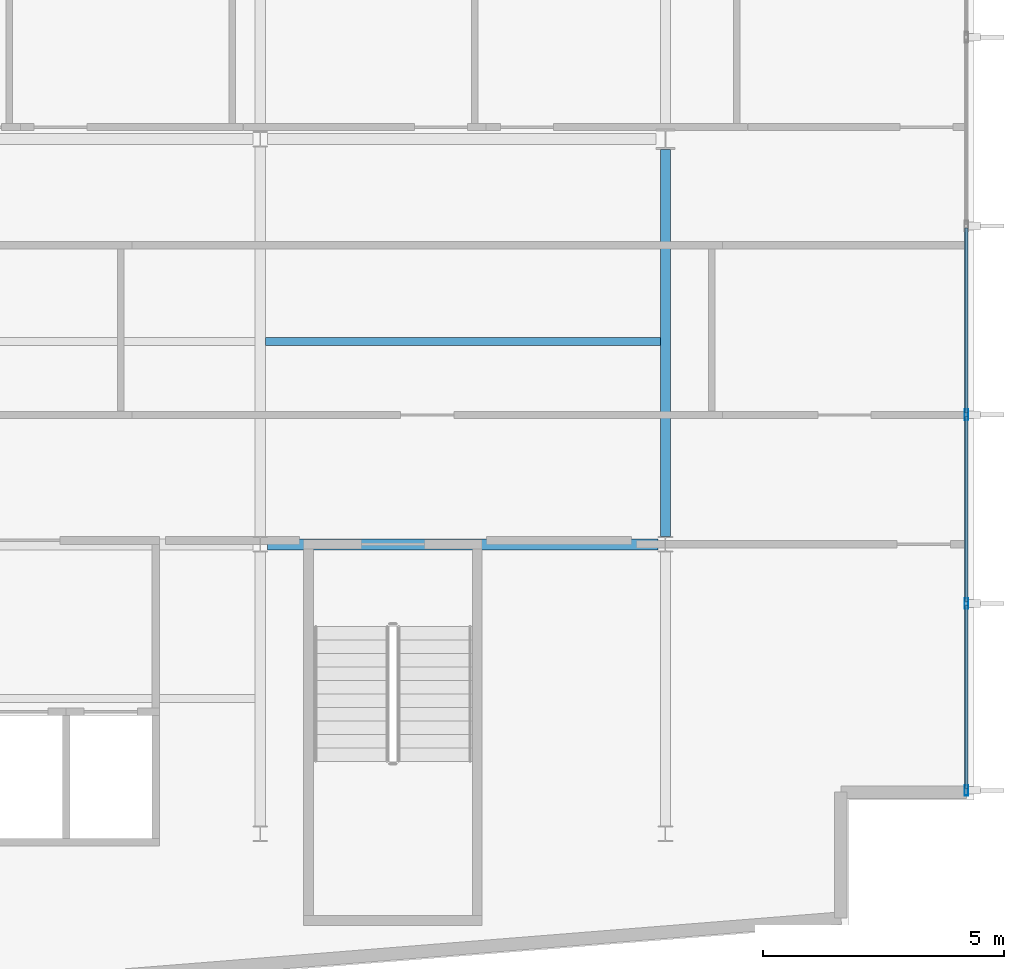
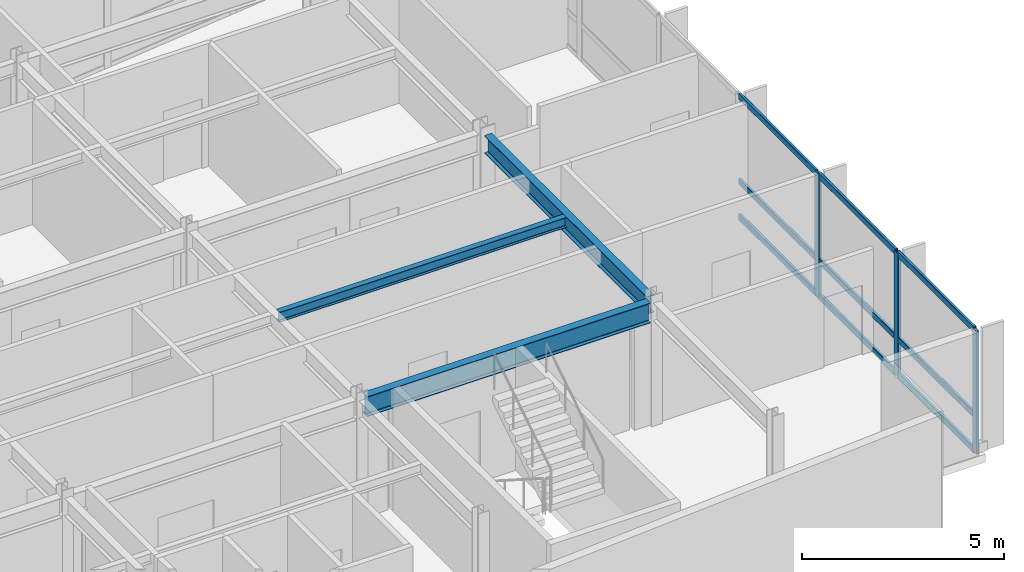
# One storey, part 5 of 18: 12 members, 3 beams, 1 element without a shape of its own.
"""IFC4 building model written with IfcOpenShell, lengths in metres."""

import ifcopenshell
import ifcopenshell.guid

model = None  # the IFC model being written
_history = None  # IfcOwnerHistory: only IFC2X3 demands one
_inside = {}  # id of a spatial element -> (the spatial element, [elements in it])
_under = {}  # id of a project, library or spatial element -> (it, [spatial elements below it])
_declared = {}  # id of a project -> (the project, [libraries it declares])
_typed = {}  # id of a type object -> (the type object, [elements of that type])
_made_of = {}  # id of a material, layer set ... -> (it, [elements and type objects made of it])


def new_model(schema):
    """Start an empty IFC model of exactly this schema.

    Asked for "IFC4X3", IfcOpenShell would pick the latest addendum, in which some entities
    have other attributes; the version numbers below select the first issue.
    IFC2X3 requires an IfcOwnerHistory on every rooted entity: one is made here for all.
    """
    global model, _history
    if schema == "IFC4X3":
        model = ifcopenshell.file(schema_version=(4, 3, 0, 0))
    else:
        model = ifcopenshell.file(schema=schema)
    _inside.clear()
    _under.clear()
    _declared.clear()
    _typed.clear()
    _made_of.clear()
    _history = None
    if model.schema == "IFC2X3":
        org = make("IfcOrganization", Name="unknown")
        user = make(
            "IfcPersonAndOrganization",
            ThePerson=make("IfcPerson", FamilyName="unknown"),
            TheOrganization=org,
        )
        app = make(
            "IfcApplication",
            ApplicationDeveloper=org,
            Version="unknown",
            ApplicationFullName="unknown",
            ApplicationIdentifier="unknown",
        )
        _history = make(
            "IfcOwnerHistory",
            OwningUser=user,
            OwningApplication=app,
            ChangeAction="ADDED",
            CreationDate=0,
        )
    return model


def make(cls, **values):
    """One entity of the class cls with the attributes given. An attribute that is None is left unset."""
    return model.create_entity(
        cls, **{name: value for name, value in values.items() if value is not None}
    )


def rooted(cls, **values):
    """An entity with a GlobalId (a new one), such as an element, a storey or a relation."""
    return make(cls, GlobalId=ifcopenshell.guid.new(), OwnerHistory=_history, **values)


def si_unit(unit_type, name, prefix=None):
    """IfcSIUnit, for example si_unit("LENGTHUNIT", "METRE", prefix="MILLI")."""
    return make("IfcSIUnit", UnitType=unit_type, Prefix=prefix, Name=name)


def assignment(units):
    """IfcUnitAssignment: the units of a project."""
    return None if units is None else make("IfcUnitAssignment", Units=units)


def point(xyz):
    """IfcCartesianPoint."""
    return None if xyz is None else make("IfcCartesianPoint", Coordinates=xyz)


def direction(xyz):
    """IfcDirection."""
    return None if xyz is None else make("IfcDirection", DirectionRatios=xyz)


def frame(location, z_axis=None, x_axis=None):
    """IfcAxis2Placement3D, a coordinate frame: its origin and axes. An axis left out is left unset."""
    return make(
        "IfcAxis2Placement3D",
        Location=point(location),
        Axis=direction(z_axis),
        RefDirection=direction(x_axis),
    )


def frame_2d(location, x_axis=None):
    """IfcAxis2Placement2D, a coordinate frame in the plane: its origin and x axis."""
    return make(
        "IfcAxis2Placement2D", Location=point(location), RefDirection=direction(x_axis)
    )


def origin():
    """The frame at (0, 0, 0) with its axes left unset."""
    return frame((0.0, 0.0, 0.0))


def origin_2d():
    """The frame at (0, 0) in the plane with its x axis left unset."""
    return frame_2d((0.0, 0.0))


def place(relative_to, where):
    """IfcLocalPlacement: puts the frame where relative to a parent placement (None: the world)."""
    return make(
        "IfcLocalPlacement", PlacementRelTo=relative_to, RelativePlacement=where
    )


def context(
    kind, dimensions, precision=None, world=None, true_north=None, identifier=None
):
    """IfcGeometricRepresentationContext, for example the 3D "Model" context."""
    return make(
        "IfcGeometricRepresentationContext",
        ContextIdentifier=identifier,
        ContextType=kind,
        CoordinateSpaceDimension=dimensions,
        Precision=precision,
        WorldCoordinateSystem=world,
        TrueNorth=true_north,
    )


def subcontext(parent, identifier, kind, view, scale=None):
    """IfcGeometricRepresentationSubContext, for example "Body" below "Model"."""
    return make(
        "IfcGeometricRepresentationSubContext",
        ContextIdentifier=identifier,
        ContextType=kind,
        ParentContext=parent,
        TargetScale=scale,
        TargetView=view,
    )


def project(units=None, contexts=None):
    """IfcProject with its units and contexts."""
    return rooted(
        "IfcProject",
        Name="project",
        RepresentationContexts=contexts,
        UnitsInContext=assignment(units),
    )


def spatial(cls, under=None, at=None, **own):
    """A site, building, storey or space (cls), placed at a placement, below another one or the project."""
    s = rooted(cls, ObjectPlacement=at, **own)
    if under is not None:
        _under.setdefault(under.id(), (under, []))[1].append(s)
    return s


def profile(cls, at=None, kind="AREA", **sizes):
    """A parametric profile (cls). Its sizes go by their IFC names, for example OverallWidth=200.0."""
    return make(cls, ProfileType=kind, Position=at, **sizes)


def hollow_rectangle(**sizes):
    """IfcRectangleHollowProfileDef."""
    return profile("IfcRectangleHollowProfileDef", **sizes)


def i_section(**sizes):
    """IfcIShapeProfileDef."""
    return profile("IfcIShapeProfileDef", **sizes)


def extrude(swept, where, along, depth):
    """IfcExtrudedAreaSolid: the profile swept, set in the frame where, extruded along a direction by depth."""
    return make(
        "IfcExtrudedAreaSolid",
        SweptArea=swept,
        Position=where,
        ExtrudedDirection=direction(along),
        Depth=depth,
    )


def shape(context_of_items, identifier, shape_type, items):
    """IfcShapeRepresentation: the items that make up one representation, for example the "Body"."""
    return make(
        "IfcShapeRepresentation",
        ContextOfItems=context_of_items,
        RepresentationIdentifier=identifier,
        RepresentationType=shape_type,
        Items=items,
    )


def material(Name=None, Category=None):
    """IfcMaterial."""
    return make("IfcMaterial", Name=Name, Category=Category)


def layer(
    of_material, thickness, ventilated=None, Name=None, Category=None, Priority=None
):
    """IfcMaterialLayer: one layer of a wall or slab, of a material (None: an air gap)."""
    return make(
        "IfcMaterialLayer",
        Material=of_material,
        LayerThickness=thickness,
        IsVentilated=ventilated,
        Name=Name,
        Category=Category,
        Priority=Priority,
    )


def layer_set(layers, Name=None):
    """IfcMaterialLayerSet."""
    return make("IfcMaterialLayerSet", MaterialLayers=layers, LayerSetName=Name)


def material_profile(
    of_material, cross_section, Name=None, Category=None, Priority=None
):
    """IfcMaterialProfile: a cross section and its material."""
    return make(
        "IfcMaterialProfile",
        Name=Name,
        Material=of_material,
        Profile=cross_section,
        Priority=Priority,
        Category=Category,
    )


def profile_set(profiles, Name=None, composite=None):
    """IfcMaterialProfileSet."""
    return make(
        "IfcMaterialProfileSet",
        Name=Name,
        MaterialProfiles=profiles,
        CompositeProfile=composite,
    )


def made_of(thing, what):
    """Note that an element or type object is made of a material, layer set ...; save() writes the relation."""
    if what is not None:
        _made_of.setdefault(what.id(), (what, []))[1].append(thing)
    return thing


def type_object(cls, material=None, **own):
    """A type object (cls), such as IfcWallType, which elements share."""
    return made_of(rooted(cls, **own), material)


def element(
    cls,
    number,
    at=None,
    inside=None,
    cuts=None,
    type_object=None,
    material=None,
    context=None,
    identifier="Body",
    shape_type=None,
    held_by="IfcProductDefinitionShape",
    body=None,
    shapes=None,
    **own,
):
    """One element of the class cls, such as IfcWall. Its Tag is "e" and its number.

    at: its placement. inside: the storey or other place that contains it. cuts: it is an
    opening in that element (IfcRelVoidsElement). A single representation is given by context,
    identifier, shape_type and body (its items); several are given by shapes. held_by: the class
    of the entity that holds the representations. save() writes the other relations.
    """
    e = rooted(cls, Tag="e%d" % number, ObjectPlacement=at, **own)
    if body is not None:
        shapes = [shape(context, identifier, shape_type, body)]
    if shapes is not None:
        e.Representation = make(held_by, Representations=shapes)
    if inside is not None:
        _inside.setdefault(inside.id(), (inside, []))[1].append(e)
    if cuts is not None:
        rooted(
            "IfcRelVoidsElement", RelatingBuildingElement=cuts, RelatedOpeningElement=e
        )
    if type_object is not None:
        _typed.setdefault(type_object.id(), (type_object, []))[1].append(e)
    return made_of(e, material)


def aggregate(whole, parts):
    """IfcRelAggregates: a whole, such as a stair, and the parts it consists of."""
    return rooted("IfcRelAggregates", RelatingObject=whole, RelatedObjects=parts)


def save(model, path):
    """Write the relations noted so far, then the file.

    IfcRelAggregates (storeys below a building ...), IfcRelContainedInSpatialStructure (elements
    in a storey), IfcRelDefinesByType, IfcRelAssociatesMaterial and IfcRelDeclares: one each for
    every whole, place, type object, material and project.
    """
    for whole, parts in _under.values():
        aggregate(whole, parts)
    for where, things in _inside.values():
        rooted(
            "IfcRelContainedInSpatialStructure",
            RelatedElements=things,
            RelatingStructure=where,
        )
    for kind, things in _typed.values():
        rooted("IfcRelDefinesByType", RelatedObjects=things, RelatingType=kind)
    for what, things in _made_of.values():
        rooted("IfcRelAssociatesMaterial", RelatedObjects=things, RelatingMaterial=what)
    for by, libraries in _declared.values():
        rooted("IfcRelDeclares", RelatingContext=by, RelatedDefinitions=libraries)
    model.write(path)


model = new_model("IFC4")

# Units and contexts
model_context = context("Model", 3, precision=1e-05, world=origin(), true_north=direction((0.0, 1.0)))
body_context = subcontext(model_context, "Body", "Model", "MODEL_VIEW")
ifc_project = project(units=[si_unit("LENGTHUNIT", "METRE"), si_unit("AREAUNIT", "SQUARE_METRE"), si_unit("VOLUMEUNIT", "CUBIC_METRE"), si_unit("PLANEANGLEUNIT", "RADIAN"), si_unit("MASSUNIT", "GRAM", prefix="KILO")], contexts=[model_context])

# Site, building, storey
site_placement = place(None, origin())
site = spatial("IfcSite", under=ifc_project, at=site_placement, CompositionType="ELEMENT")
building_placement = place(site_placement, origin())
building = spatial("IfcBuilding", under=site, at=building_placement, Name="Varnakote Quay Hospital", CompositionType="ELEMENT")
storey_placement = place(building_placement, frame((0.0, 0.0, 123.10009765625)))
storey = spatial("IfcBuildingStorey", under=building, at=storey_placement, Name="L30", CompositionType="ELEMENT", Elevation=123.10009765625)

# Beams
ifc_material_1 = material(Name="Structural steel AS/NZS 3679.1 Grade 350 L0 (fy 340 MPa)", Category="steel")
ifc_material_profile_1 = material_profile(ifc_material_1, i_section(OverallWidth=0.208984375, OverallDepth=0.532958984375, WebThickness=0.01025390625, FlangeThickness=0.015625, FilletRadius=0.013916015625, at=origin_2d()), Name="530UB92.4")
ifc_profile_set_1 = profile_set([ifc_material_profile_1], Name="Structural steel AS/NZS 3679.1 Grade 350 L0 (fy 340 MPa)")
beam_type_1 = type_object("IfcBeamType", Name="BM-STL-530UB92-4", PredefinedType="BEAM", material=ifc_profile_set_1)
beam_1_placement = place(storey_placement, frame((50.39990234375, 12.160400390625, 3.443359375), z_axis=(0.0, 1.0, 0.0), x_axis=(-1.0, 0.0, 0.0)))
element("IfcBeam", 1, at=beam_1_placement, inside=storey, type_object=beam_type_1, Name="L30 Primary Tie Beam", PredefinedType="BEAM", context=body_context, shape_type="SweptSolid", body=[
    extrude(i_section(OverallWidth=0.208984375, OverallDepth=0.532958984375, WebThickness=0.01025390625, FlangeThickness=0.015625, FilletRadius=0.013916015625, at=origin_2d()), origin(), (0.0, 0.0, 1.0), 8.029541015625),
])
ifc_material_2 = material(Name="Structural steel AS/NZS 3679.1 Grade 350 L0 (fy 340 MPa)", Category="steel")
ifc_material_profile_2 = material_profile(ifc_material_2, i_section(OverallWidth=0.22802734375, OverallDepth=0.60205078125, WebThickness=0.010498046875, FlangeThickness=0.014892578125, FilletRadius=0.013916015625, at=origin_2d()), Name="610UB101")
ifc_profile_set_2 = profile_set([ifc_material_profile_2], Name="Structural steel AS/NZS 3679.1 Grade 350 L0 (fy 340 MPa)")
beam_type_2 = type_object("IfcBeamType", Name="BM-STL-610UB101", PredefinedType="BEAM", material=ifc_profile_set_2)
beam_2_placement = place(storey_placement, frame((42.154541015625, 12.0, 3.408935546875), z_axis=(1.0, 0.0, 0.0), x_axis=(0.0, 1.0, 0.0)))
element("IfcBeam", 2, at=beam_2_placement, inside=storey, type_object=beam_type_2, Name="L30 Primary Floor Beam", PredefinedType="BEAM", context=body_context, shape_type="SweptSolid", body=[
    extrude(i_section(OverallWidth=0.22802734375, OverallDepth=0.60205078125, WebThickness=0.010498046875, FlangeThickness=0.014892578125, FilletRadius=0.013916015625, at=origin_2d()), origin(), (0.0, 0.0, 1.0), 8.091064453125),
])

# Curtain wall, members
ifc_material_3 = material(Name="Anodised aluminium 6063-T6 Bronze", Category="aluminium")
ifc_layer = layer(ifc_material_3, 0.205078125)
ifc_layer_set = layer_set([ifc_layer], Name="Anodised aluminium 6063-T6 Bronze")
curtain_wall_type = type_object("IfcCurtainWallType", Name="CW-SYS-3", PredefinedType="NOTDEFINED", material=ifc_layer_set)
curtain_wall_placement = place(storey_placement, origin())
curtain_wall = element("IfcCurtainWall", 3, at=curtain_wall_placement, inside=storey, type_object=curtain_wall_type, Name="L30 Unitised Bronze Curtain Wall 1", PredefinedType="NOTDEFINED")
ifc_material_4 = material(Name="Anodised aluminium 6063-T6 Bronze", Category="aluminium")
ifc_material_profile_3 = material_profile(ifc_material_4, hollow_rectangle(XDim=0.074951171875, YDim=0.219970703125, WallThickness=0.00439453125, InnerFilletRadius=0.00439453125, OuterFilletRadius=0.009033203125, at=origin_2d()), Name="CW-MULL-220x75")
ifc_profile_set_3 = profile_set([ifc_material_profile_3], Name="Anodised aluminium 6063-T6 Bronze")
member_type_1 = type_object("IfcMemberType", Name="CW-MULL-220x75", PredefinedType="MULLION", material=ifc_profile_set_3)
member_1_placement = place(storey_placement, frame((56.639892578125, 6.8974609375, 0.0), z_axis=(0.0, 0.0, 1.0), x_axis=(-1.0, 0.0, 0.0)))
member_1 = element("IfcMember", 4, at=member_1_placement, type_object=member_type_1, Name="-3-L30-1 mullion 1", PredefinedType="MULLION", context=body_context, shape_type="SweptSolid", body=[
    extrude(hollow_rectangle(XDim=0.074951171875, YDim=0.219970703125, WallThickness=0.00439453125, InnerFilletRadius=0.00439453125, OuterFilletRadius=0.009033203125, at=origin_2d()), origin(), (0.0, 0.0, 1.0), 3.7099609375),
])
member_2_placement = place(storey_placement, frame((56.639892578125, 10.7734375, 0.0), z_axis=(0.0, 0.0, 1.0), x_axis=(-1.0, 0.0, 0.0)))
member_2 = element("IfcMember", 5, at=member_2_placement, type_object=member_type_1, Name="-3-L30-1 mullion 2", PredefinedType="MULLION", context=body_context, shape_type="SweptSolid", body=[
    extrude(hollow_rectangle(XDim=0.074951171875, YDim=0.219970703125, WallThickness=0.00439453125, InnerFilletRadius=0.00439453125, OuterFilletRadius=0.009033203125, at=origin_2d()), origin(), (0.0, 0.0, 1.0), 3.7099609375),
])
member_3_placement = place(storey_placement, frame((56.639892578125, 14.686767578125, 0.0), z_axis=(0.0, 0.0, 1.0), x_axis=(-1.0, 0.0, 0.0)))
member_3 = element("IfcMember", 6, at=member_3_placement, type_object=member_type_1, Name="-3-L30-1 mullion 3", PredefinedType="MULLION", context=body_context, shape_type="SweptSolid", body=[
    extrude(hollow_rectangle(XDim=0.074951171875, YDim=0.219970703125, WallThickness=0.00439453125, InnerFilletRadius=0.00439453125, OuterFilletRadius=0.009033203125, at=origin_2d()), origin(), (0.0, 0.0, 1.0), 3.7099609375),
])
ifc_material_5 = material(Name="Anodised aluminium 6063-T6 Bronze", Category="aluminium")
ifc_material_profile_4 = material_profile(ifc_material_5, hollow_rectangle(XDim=0.074951171875, YDim=0.179931640625, WallThickness=0.004150390625, InnerFilletRadius=0.004150390625, OuterFilletRadius=0.00830078125, at=origin_2d()), Name="CW-TRAN-180x75")
ifc_profile_set_4 = profile_set([ifc_material_profile_4], Name="Anodised aluminium 6063-T6 Bronze")
member_type_2 = type_object("IfcMemberType", Name="CW-TRAN-180x75", PredefinedType="USERDEFINED", material=ifc_profile_set_4)
member_4_placement = place(storey_placement, frame((56.639892578125, 6.93505859375, 0.037353515625), z_axis=(0.0, 1.0, 0.0), x_axis=(-1.0, 0.0, 0.0)))
member_4 = element("IfcMember", 7, at=member_4_placement, type_object=member_type_2, Name="-3-L30-1 transom 1.1", ObjectType="TRANSOM", PredefinedType="USERDEFINED", context=body_context, shape_type="SweptSolid", body=[
    extrude(hollow_rectangle(XDim=0.074951171875, YDim=0.179931640625, WallThickness=0.004150390625, InnerFilletRadius=0.004150390625, OuterFilletRadius=0.00830078125, at=origin_2d()), origin(), (0.0, 0.0, 1.0), 3.80078125),
])
member_5_placement = place(storey_placement, frame((56.639892578125, 6.93505859375, 1.099853515625), z_axis=(0.0, 1.0, 0.0), x_axis=(-1.0, 0.0, 0.0)))
member_5 = element("IfcMember", 8, at=member_5_placement, type_object=member_type_2, Name="-3-L30-1 transom 1.2", ObjectType="TRANSOM", PredefinedType="USERDEFINED", context=body_context, shape_type="SweptSolid", body=[
    extrude(hollow_rectangle(XDim=0.074951171875, YDim=0.179931640625, WallThickness=0.004150390625, InnerFilletRadius=0.004150390625, OuterFilletRadius=0.00830078125, at=origin_2d()), origin(), (0.0, 0.0, 1.0), 3.80078125),
])
member_6_placement = place(storey_placement, frame((56.639892578125, 6.93505859375, 3.67236328125), z_axis=(0.0, 1.0, 0.0), x_axis=(-1.0, 0.0, 0.0)))
member_6 = element("IfcMember", 9, at=member_6_placement, type_object=member_type_2, Name="-3-L30-1 transom 1.3", ObjectType="TRANSOM", PredefinedType="USERDEFINED", context=body_context, shape_type="SweptSolid", body=[
    extrude(hollow_rectangle(XDim=0.074951171875, YDim=0.179931640625, WallThickness=0.004150390625, InnerFilletRadius=0.004150390625, OuterFilletRadius=0.00830078125, at=origin_2d()), origin(), (0.0, 0.0, 1.0), 3.80078125),
])
member_7_placement = place(storey_placement, frame((56.639892578125, 10.810791015625, 0.037353515625), z_axis=(0.0, 1.0, 0.0), x_axis=(-1.0, 0.0, 0.0)))
member_7 = element("IfcMember", 10, at=member_7_placement, type_object=member_type_2, Name="-3-L30-1 transom 2.1", ObjectType="TRANSOM", PredefinedType="USERDEFINED", context=body_context, shape_type="SweptSolid", body=[
    extrude(hollow_rectangle(XDim=0.074951171875, YDim=0.179931640625, WallThickness=0.004150390625, InnerFilletRadius=0.004150390625, OuterFilletRadius=0.00830078125, at=origin_2d()), origin(), (0.0, 0.0, 1.0), 3.83837890625),
])
member_8_placement = place(storey_placement, frame((56.639892578125, 10.810791015625, 1.099853515625), z_axis=(0.0, 1.0, 0.0), x_axis=(-1.0, 0.0, 0.0)))
member_8 = element("IfcMember", 11, at=member_8_placement, type_object=member_type_2, Name="-3-L30-1 transom 2.2", ObjectType="TRANSOM", PredefinedType="USERDEFINED", context=body_context, shape_type="SweptSolid", body=[
    extrude(hollow_rectangle(XDim=0.074951171875, YDim=0.179931640625, WallThickness=0.004150390625, InnerFilletRadius=0.004150390625, OuterFilletRadius=0.00830078125, at=origin_2d()), origin(), (0.0, 0.0, 1.0), 3.83837890625),
])
member_9_placement = place(storey_placement, frame((56.639892578125, 10.810791015625, 3.67236328125), z_axis=(0.0, 1.0, 0.0), x_axis=(-1.0, 0.0, 0.0)))
member_9 = element("IfcMember", 12, at=member_9_placement, type_object=member_type_2, Name="-3-L30-1 transom 2.3", ObjectType="TRANSOM", PredefinedType="USERDEFINED", context=body_context, shape_type="SweptSolid", body=[
    extrude(hollow_rectangle(XDim=0.074951171875, YDim=0.179931640625, WallThickness=0.004150390625, InnerFilletRadius=0.004150390625, OuterFilletRadius=0.00830078125, at=origin_2d()), origin(), (0.0, 0.0, 1.0), 3.83837890625),
])
member_10_placement = place(storey_placement, frame((56.639892578125, 14.72412109375, 0.037353515625), z_axis=(0.0, 1.0, 0.0), x_axis=(-1.0, 0.0, 0.0)))
member_10 = element("IfcMember", 13, at=member_10_placement, type_object=member_type_2, Name="-3-L30-1 transom 3.1", ObjectType="TRANSOM", PredefinedType="USERDEFINED", context=body_context, shape_type="SweptSolid", body=[
    extrude(hollow_rectangle(XDim=0.074951171875, YDim=0.179931640625, WallThickness=0.004150390625, InnerFilletRadius=0.004150390625, OuterFilletRadius=0.00830078125, at=origin_2d()), origin(), (0.0, 0.0, 1.0), 3.83837890625),
])
member_11_placement = place(storey_placement, frame((56.639892578125, 14.72412109375, 1.099853515625), z_axis=(0.0, 1.0, 0.0), x_axis=(-1.0, 0.0, 0.0)))
member_11 = element("IfcMember", 14, at=member_11_placement, type_object=member_type_2, Name="-3-L30-1 transom 3.2", ObjectType="TRANSOM", PredefinedType="USERDEFINED", context=body_context, shape_type="SweptSolid", body=[
    extrude(hollow_rectangle(XDim=0.074951171875, YDim=0.179931640625, WallThickness=0.004150390625, InnerFilletRadius=0.004150390625, OuterFilletRadius=0.00830078125, at=origin_2d()), origin(), (0.0, 0.0, 1.0), 3.83837890625),
])
member_12_placement = place(storey_placement, frame((56.639892578125, 14.72412109375, 3.67236328125), z_axis=(0.0, 1.0, 0.0), x_axis=(-1.0, 0.0, 0.0)))
member_12 = element("IfcMember", 15, at=member_12_placement, type_object=member_type_2, Name="-3-L30-1 transom 3.3", ObjectType="TRANSOM", PredefinedType="USERDEFINED", context=body_context, shape_type="SweptSolid", body=[
    extrude(hollow_rectangle(XDim=0.074951171875, YDim=0.179931640625, WallThickness=0.004150390625, InnerFilletRadius=0.004150390625, OuterFilletRadius=0.00830078125, at=origin_2d()), origin(), (0.0, 0.0, 1.0), 3.83837890625),
])
aggregate(curtain_wall, [member_1, member_2, member_3, member_4, member_5, member_6, member_7, member_8, member_9, member_10, member_11, member_12])

# Beam
ifc_material_6 = material(Name="Structural steel AS/NZS 3679.1 Grade 350 L0 (fy 340 MPa)", Category="steel")
ifc_material_profile_5 = material_profile(ifc_material_6, i_section(OverallWidth=0.1650390625, OverallDepth=0.303955078125, WebThickness=0.006103515625, FlangeThickness=0.01025390625, FilletRadius=0.011474609375, at=origin_2d()), Name="310UB40.4")
ifc_profile_set_5 = profile_set([ifc_material_profile_5], Name="Structural steel AS/NZS 3679.1 Grade 350 L0 (fy 340 MPa)")
beam_type_3 = type_object("IfcBeamType", Name="JST-STL-310UB40-4", PredefinedType="JOIST", material=ifc_profile_set_5)
beam_3_placement = place(storey_placement, frame((42.1044921875, 16.199951171875, 3.557861328125), z_axis=(1.0, 0.0, 0.0), x_axis=(0.0, 1.0, 0.0)))
element("IfcBeam", 16, at=beam_3_placement, inside=storey, type_object=beam_type_3, Name="L30 Composite Floor Joist", PredefinedType="JOIST", context=body_context, shape_type="SweptSolid", body=[
    extrude(i_section(OverallWidth=0.1650390625, OverallDepth=0.303955078125, WebThickness=0.006103515625, FlangeThickness=0.01025390625, FilletRadius=0.011474609375, at=origin_2d()), origin(), (0.0, 0.0, 1.0), 8.19091796875),
])

save(model, "model.ifc")
